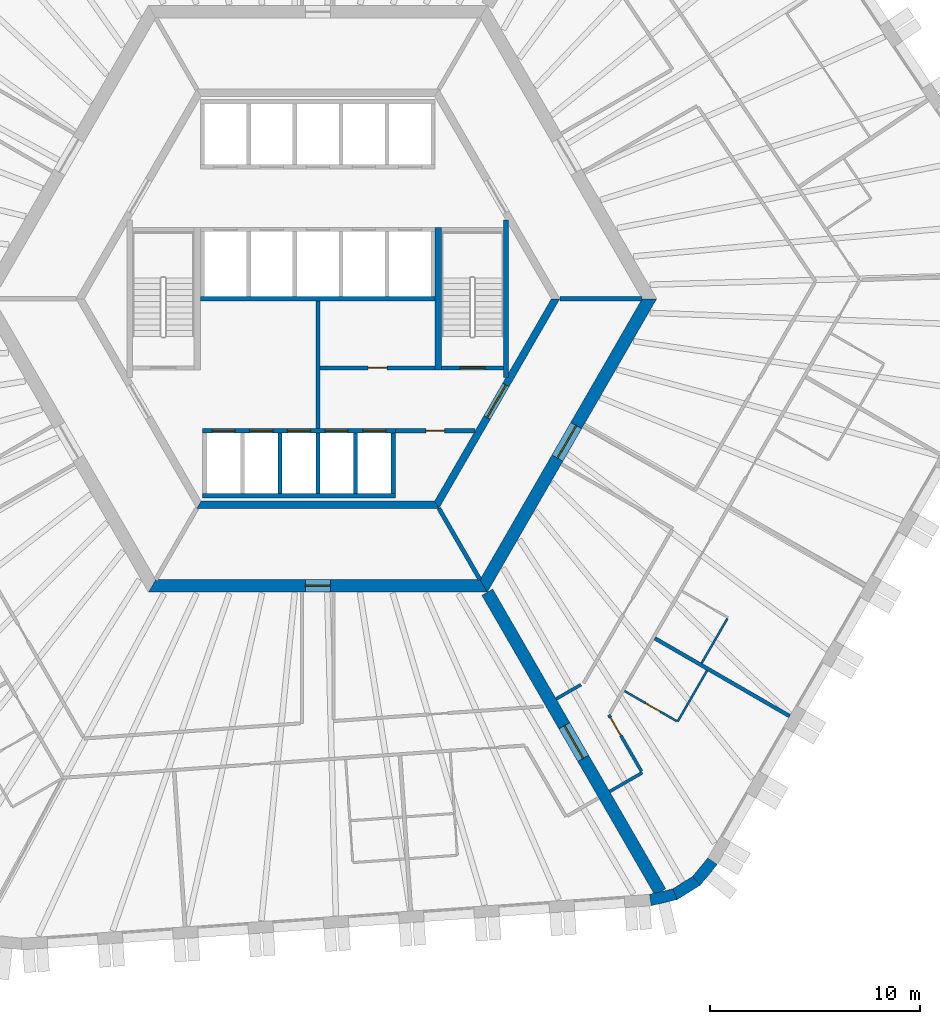
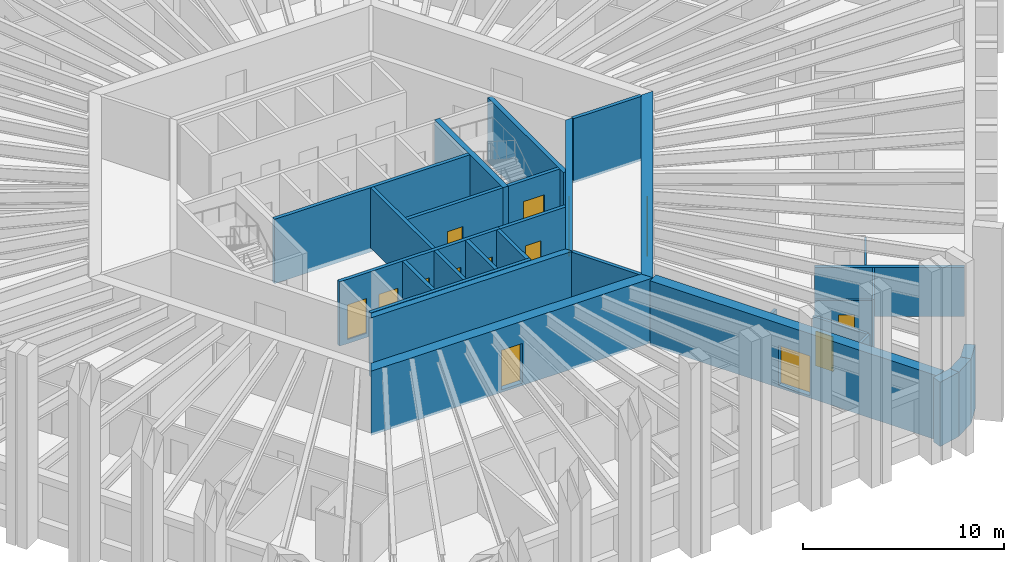
# One storey, part 5 of 12: 30 walls, 14 doors, 14 openings.
"""IFC4 building model written with IfcOpenShell, lengths in metres."""

from ifc_helpers import new_model, si_unit, direction, frame, frame_2d, origin, place, context, subcontext, project, spatial, polyline, rectangle, outline, extrude, material, layer, layer_set, type_object, element, fill, save


model = new_model("IFC4")

# Units and contexts
model_context = context("Model", 3, precision=1e-05, world=origin(), true_north=direction((0.0, 1.0)))
body_context = subcontext(model_context, "Body", "Model", "MODEL_VIEW")
ifc_project = project(units=[si_unit("LENGTHUNIT", "METRE"), si_unit("AREAUNIT", "SQUARE_METRE"), si_unit("VOLUMEUNIT", "CUBIC_METRE"), si_unit("PLANEANGLEUNIT", "RADIAN"), si_unit("MASSUNIT", "GRAM", prefix="KILO")], contexts=[model_context])

# Site, building, storey
site_placement = place(None, origin())
site = spatial("IfcSite", under=ifc_project, at=site_placement, CompositionType="ELEMENT")
building_placement = place(site_placement, origin())
building = spatial("IfcBuilding", under=site, at=building_placement, Name="Tarnside Tower", CompositionType="ELEMENT")
storey_placement = place(building_placement, frame((0.0, 0.0, 37.5)))
storey = spatial("IfcBuildingStorey", under=building, at=storey_placement, Name="L06", CompositionType="ELEMENT", Elevation=37.5)

# Wall
ifc_material_1 = material(Name="Gypsum board partition on steel studs", Category="steel")
ifc_layer_1 = layer(ifc_material_1, 0.10009765625)
ifc_layer_set_1 = layer_set([ifc_layer_1], Name="Bathroom wall 100")
wall_type_1 = type_object("IfcWallType", Name="Bathroom wall 100", PredefinedType="PARTITIONING", material=ifc_layer_set_1)
wall_1_placement = place(storey_placement, frame((18.56787109375, -17.739501953125, 0.0), z_axis=(0.0, 0.0, 1.0), x_axis=(-0.499998209175, -0.866026437715, 0.0)))
element("IfcWall", 1, at=wall_1_placement, inside=storey, type_object=wall_type_1, Name="Bathroom wall 01127", PredefinedType="PARTITIONING", context=body_context, shape_type="SweptSolid", body=[
    extrude(rectangle(XDim=2.81005859375, YDim=0.10009765625, at=frame_2d((1.405029296875, 0.0))), origin(), (0.0, 0.0, 1.0), 2.98779296875),
])

# Wall, opening, door
wall_2_placement = place(storey_placement, frame((17.11962890625, -20.14794921875, 0.0), z_axis=(0.0, 0.0, 1.0), x_axis=(-0.866039941686, 0.499974818771, 0.0)))
wall_2 = element("IfcWall", 2, at=wall_2_placement, inside=storey, type_object=wall_type_1, Name="Bathroom wall 01128", PredefinedType="PARTITIONING", context=body_context, shape_type="SweptSolid", body=[
    extrude(rectangle(XDim=2.875244140625, YDim=0.10009765625, at=frame_2d((1.4375, 0.0))), origin(), (0.0, 0.0, 1.0), 2.98779296875),
])
opening_1_placement = place(wall_2_placement, frame((0.89990234375, 0.0, 0.0)))
opening_1 = element("IfcOpeningElement", 3, at=opening_1_placement, cuts=wall_2, Name="Opening D-B1", PredefinedType="OPENING", context=body_context, shape_type="SweptSolid", body=[
    extrude(rectangle(XDim=0.800048828125, YDim=2.10009765625, at=frame_2d((0.39990234375, 1.050048828125))), frame((0.0, 0.06005859375, 0.0), z_axis=(0.0, -1.0, 0.0), x_axis=(1.0, 0.0, 0.0)), (0.0, 0.0, 1.0), 0.1201171875),
])
ifc_material_2 = material(Name="Timber door leaf", Category="wood")
door_type_1 = type_object("IfcDoorType", Name="Bathroom door 800", OperationType="NOTDEFINED", PredefinedType="DOOR", material=ifc_material_2)
door_1_placement = place(opening_1_placement, origin())
door_1 = element("IfcDoor", 4, at=door_1_placement, inside=storey, type_object=door_type_1, Name="Bathroom door 01028", OperationType="SINGLE_SWING_RIGHT", OverallHeight=2.10009765625, OverallWidth=0.800048828125, PredefinedType="DOOR", context=body_context, shape_type="SweptSolid", body=[
    extrude(rectangle(XDim=0.800048828125, YDim=2.10009765625, at=frame_2d((0.39990234375, 1.050048828125))), frame((0.0, 0.02490234375, 0.0), z_axis=(0.0, -1.0, 0.0), x_axis=(1.0, 0.0, 0.0)), (0.0, 0.0, 1.0), 0.050048828125),
])
fill(opening_1, door_1)

# Walls
wall_3_placement = place(storey_placement, frame((19.54150390625, -15.253173828125, 0.0), z_axis=(0.0, 0.0, 1.0), x_axis=(-0.500003092839, -0.866023618125, 0.0)))
element("IfcWall", 5, at=wall_3_placement, inside=storey, type_object=wall_type_1, Name="Bathroom wall 01133", PredefinedType="PARTITIONING", context=body_context, shape_type="SweptSolid", body=[
    extrude(rectangle(XDim=2.4599609375, YDim=0.10009765625, at=frame_2d((1.22998046875, 0.0))), origin(), (0.0, 0.0, 1.0), 2.98779296875),
])
ifc_material_3 = material(Name="Concrete C50/60", Category="concrete")
ifc_layer_2 = layer(ifc_material_3, 0.35009765625)
ifc_layer_set_2 = layer_set([ifc_layer_2], Name="Core block wall 350 C50/60")
wall_type_2 = type_object("IfcWallType", Name="Core block wall 350 C50/60", PredefinedType="SHEAR", material=ifc_layer_set_2)
wall_4_placement = place(storey_placement, frame((-5.672607421875, -9.824951171875, -0.14990234375), z_axis=(0.0, 0.0, 1.0), x_axis=(1.0, 0.0, 0.0)))
element("IfcWall", 6, at=wall_4_placement, inside=storey, type_object=wall_type_2, Name="L06 core block wall face 4", PredefinedType="SHEAR", context=body_context, shape_type="SweptSolid", body=[
    extrude(outline(polyline([(-0.10107421875, -0.175048828125), (11.4462890625, -0.175048828125), (11.244140625, 0.175048828125), (0.10107421875, 0.175048828125), (-0.10107421875, -0.175048828125)])), origin(), (0.0, 0.0, 1.0), 3.89990234375),
])

# Wall, opening, door
wall_5_placement = place(storey_placement, frame((5.672607421875, -9.824951171875, -0.14990234375), z_axis=(0.0, 0.0, 1.0), x_axis=(0.499995046907, 0.866028263435, 0.0)))
wall_5 = element("IfcWall", 7, at=wall_5_placement, inside=storey, type_object=wall_type_2, Name="L06 core block wall face 5", PredefinedType="SHEAR", context=body_context, shape_type="SweptSolid", body=[
    extrude(outline(polyline([(-0.10107421875, -0.175048828125), (11.44580078125, -0.175048828125), (11.24365234375, 0.175048828125), (0.10107421875, 0.175048828125), (-0.10107421875, -0.175048828125)])), origin(), (0.0, 0.0, 1.0), 3.89990234375),
])
opening_2_placement = place(wall_5_placement, frame((4.80126953125, 0.0, 0.14990234375)))
opening_2 = element("IfcOpeningElement", 8, at=opening_2_placement, cuts=wall_5, Name="Opening CD-FFL", PredefinedType="OPENING", context=body_context, shape_type="SweptSolid", body=[
    extrude(rectangle(XDim=1.800048828125, YDim=2.39990234375, at=frame_2d((0.89990234375, 1.199951171875))), frame((0.0, 0.18505859375, 0.0), z_axis=(0.0, -1.0, 0.0), x_axis=(1.0, 0.0, 0.0)), (0.0, 0.0, 1.0), 0.3701171875),
])
ifc_material_4 = material(Name="Steel fire door", Category="steel")
door_type_2 = type_object("IfcDoorType", Name="Firefighting lobby double door FD60S 1800x2400", OperationType="NOTDEFINED", PredefinedType="DOOR", material=ifc_material_4)
door_2_placement = place(opening_2_placement, origin())
door_2 = element("IfcDoor", 9, at=door_2_placement, inside=storey, type_object=door_type_2, Name="L06 lobby block door P4", OperationType="DOUBLE_DOOR_SINGLE_SWING", OverallHeight=2.39990234375, OverallWidth=1.800048828125, PredefinedType="DOOR", context=body_context, shape_type="SweptSolid", body=[
    extrude(rectangle(XDim=1.800048828125, YDim=2.39990234375, at=frame_2d((0.89990234375, 1.199951171875))), frame((0.0, 0.02490234375, 0.0), z_axis=(0.0, -1.0, 0.0), x_axis=(1.0, 0.0, 0.0)), (0.0, 0.0, 1.0), 0.050048828125),
])
fill(opening_2, door_2)

ifc_material_5 = material(Name="Concrete C40/50", Category="concrete")
ifc_layer_3 = layer(ifc_material_5, 0.199951171875)
ifc_layer_set_3 = layer_set([ifc_layer_3], Name="Core room partition 200 C40/50")
wall_type_3 = type_object("IfcWallType", Name="Core room partition 200 C40/50", PredefinedType="PARTITIONING", material=ifc_layer_set_3)
wall_6_placement = place(storey_placement, frame((0.10009765625, -3.300048828125, 0.0), z_axis=(0.0, 0.0, 1.0), x_axis=(1.0, 0.0, 0.0)))
wall_6 = element("IfcWall", 10, at=wall_6_placement, inside=storey, type_object=wall_type_3, Name="L06 core partition R3S1", PredefinedType="PARTITIONING", context=body_context, shape_type="SweptSolid", body=[
    extrude(rectangle(XDim=5.5, YDim=0.199951171875, at=frame_2d((2.75, 0.0))), origin(), (0.0, 0.0, 1.0), 3.64990234375),
])
opening_3_placement = place(wall_6_placement, frame((2.300048828125, 0.0, 0.0)))
opening_3 = element("IfcOpeningElement", 11, at=opening_3_placement, cuts=wall_6, Name="Opening CD-room", PredefinedType="OPENING", context=body_context, shape_type="SweptSolid", body=[
    extrude(rectangle(XDim=0.89990234375, YDim=2.10009765625, at=frame_2d((0.449951171875, 1.050048828125))), frame((0.0, 0.10986328125, 0.0), z_axis=(0.0, -1.0, 0.0), x_axis=(1.0, 0.0, 0.0)), (0.0, 0.0, 1.0), 0.219970703125),
])
door_type_3 = type_object("IfcDoorType", Name="Room door FD60 900x2100", OperationType="NOTDEFINED", PredefinedType="DOOR", material=ifc_material_4)
door_3_placement = place(opening_3_placement, origin())
door_3 = element("IfcDoor", 12, at=door_3_placement, inside=storey, type_object=door_type_3, Name="L06 core room door SR1", OperationType="SINGLE_SWING_LEFT", OverallHeight=2.10009765625, OverallWidth=0.89990234375, PredefinedType="DOOR", context=body_context, shape_type="SweptSolid", body=[
    extrude(rectangle(XDim=0.89990234375, YDim=2.10009765625, at=frame_2d((0.449951171875, 1.050048828125))), frame((0.0, 0.02490234375, 0.0), z_axis=(0.0, -1.0, 0.0), x_axis=(1.0, 0.0, 0.0)), (0.0, 0.0, 1.0), 0.050048828125),
])
fill(opening_3, door_3)

# Wall
wall_7_placement = place(storey_placement, frame((0.0, -6.199951171875, 0.0), z_axis=(0.0, 0.0, 1.0), x_axis=(0.0, 1.0, 0.0)))
element("IfcWall", 13, at=wall_7_placement, inside=storey, type_object=wall_type_3, Name="L06 core partition X0", PredefinedType="PARTITIONING", context=body_context, shape_type="SweptSolid", body=[
    extrude(rectangle(XDim=6.099853515625, YDim=0.199951171875, at=frame_2d((3.0498046875, 0.0))), origin(), (0.0, 0.0, 1.0), 3.64990234375),
])

# Wall, opening, door
wall_8_placement = place(storey_placement, frame((3.699951171875, -6.300048828125, 0.0), z_axis=(0.0, 0.0, 1.0), x_axis=(1.0, 0.0, 0.0)))
wall_8 = element("IfcWall", 14, at=wall_8_placement, inside=storey, type_object=wall_type_3, Name="L06 core partition R4X", PredefinedType="PARTITIONING", context=body_context, shape_type="SweptSolid", body=[
    extrude(rectangle(XDim=3.8056640625, YDim=0.199951171875, at=frame_2d((1.90283203125, 0.0))), origin(), (0.0, 0.0, 1.0), 3.64990234375),
])
opening_4_placement = place(wall_8_placement, frame((1.452880859375, 0.0, 0.0)))
opening_4 = element("IfcOpeningElement", 15, at=opening_4_placement, cuts=wall_8, Name="Opening CD-room", PredefinedType="OPENING", context=body_context, shape_type="SweptSolid", body=[
    extrude(rectangle(XDim=0.89990234375, YDim=2.10009765625, at=frame_2d((0.449951171875, 1.050048828125))), frame((0.0, 0.10986328125, 0.0), z_axis=(0.0, -1.0, 0.0), x_axis=(1.0, 0.0, 0.0)), (0.0, 0.0, 1.0), 0.219970703125),
])
door_4_placement = place(opening_4_placement, origin())
door_4 = element("IfcDoor", 16, at=door_4_placement, inside=storey, type_object=door_type_3, Name="L06 core room door RX", OperationType="SINGLE_SWING_LEFT", OverallHeight=2.10009765625, OverallWidth=0.89990234375, PredefinedType="DOOR", context=body_context, shape_type="SweptSolid", body=[
    extrude(rectangle(XDim=0.89990234375, YDim=2.10009765625, at=frame_2d((0.449951171875, 1.050048828125))), frame((0.0, 0.02490234375, 0.0), z_axis=(0.0, -1.0, 0.0), x_axis=(1.0, 0.0, 0.0)), (0.0, 0.0, 1.0), 0.050048828125),
])
fill(opening_4, door_4)

ifc_material_6 = material(Name="Concrete C80/95", Category="concrete")
ifc_layer_4 = layer(ifc_material_6, 0.60009765625)
ifc_layer_set_4 = layer_set([ifc_layer_4], Name="Core wall Z1 600 C80/95")
wall_type_4 = type_object("IfcWallType", Name="Core wall Z1 600 C80/95", PredefinedType="SHEAR", material=ifc_layer_set_4)
wall_9_placement = place(storey_placement, frame((-7.90966796875, -13.699951171875, -0.14990234375), z_axis=(0.0, 0.0, 1.0), x_axis=(1.0, 0.0, 0.0)))
wall_9 = element("IfcWall", 17, at=wall_9_placement, inside=storey, type_object=wall_type_4, Name="L06 core wall face 4", PredefinedType="SHEAR", context=body_context, shape_type="SweptSolid", body=[
    extrude(outline(polyline([(-0.17333984375, -0.300048828125), (15.99267578125, -0.300048828125), (15.64599609375, 0.300048828125), (0.17333984375, 0.300048828125), (-0.17333984375, -0.300048828125)])), origin(), (0.0, 0.0, 1.0), 3.89990234375),
])
opening_5_placement = place(wall_9_placement, frame((7.309814453125, 0.0, 0.14990234375)))
opening_5 = element("IfcOpeningElement", 18, at=opening_5_placement, cuts=wall_9, Name="Opening CD-RSR", PredefinedType="OPENING", context=body_context, shape_type="SweptSolid", body=[
    extrude(rectangle(XDim=1.199951171875, YDim=2.39990234375, at=frame_2d((0.60009765625, 1.199951171875))), frame((0.0, 0.31005859375, 0.0), z_axis=(0.0, -1.0, 0.0), x_axis=(1.0, 0.0, 0.0)), (0.0, 0.0, 1.0), 0.6201171875),
])
door_type_4 = type_object("IfcDoorType", Name="Riser door FD60 1200x2400", OperationType="NOTDEFINED", PredefinedType="DOOR", material=ifc_material_4)
door_5_placement = place(opening_5_placement, origin())
door_5 = element("IfcDoor", 19, at=door_5_placement, inside=storey, type_object=door_type_4, Name="L06 core door S6", OperationType="SINGLE_SWING_LEFT", OverallHeight=2.39990234375, OverallWidth=1.199951171875, PredefinedType="DOOR", context=body_context, shape_type="SweptSolid", body=[
    extrude(rectangle(XDim=1.199951171875, YDim=2.39990234375, at=frame_2d((0.60009765625, 1.199951171875))), frame((0.0, 0.02490234375, 0.0), z_axis=(0.0, -1.0, 0.0), x_axis=(1.0, 0.0, 0.0)), (0.0, 0.0, 1.0), 0.050048828125),
])
fill(opening_5, door_5)

wall_10_placement = place(storey_placement, frame((7.90966796875, -13.699951171875, -0.14990234375), z_axis=(0.0, 0.0, 1.0), x_axis=(0.499999880136, 0.866025472988, 0.0)))
wall_10 = element("IfcWall", 20, at=wall_10_placement, inside=storey, type_object=wall_type_4, Name="L06 core wall face 5", PredefinedType="SHEAR", context=body_context, shape_type="SweptSolid", body=[
    extrude(outline(polyline([(-0.17333984375, -0.300048828125), (15.99267578125, -0.300048828125), (15.64599609375, 0.300048828125), (0.17333984375, 0.300048828125), (-0.17333984375, -0.300048828125)])), origin(), (0.0, 0.0, 1.0), 3.89990234375),
])
opening_6_placement = place(wall_10_placement, frame((7.03857421875, 0.0, 0.14990234375)))
opening_6 = element("IfcOpeningElement", 21, at=opening_6_placement, cuts=wall_10, Name="Opening CD-FFL", PredefinedType="OPENING", context=body_context, shape_type="SweptSolid", body=[
    extrude(rectangle(XDim=1.800048828125, YDim=2.39990234375, at=frame_2d((0.89990234375, 1.199951171875))), frame((0.0, 0.31005859375, 0.0), z_axis=(0.0, -1.0, 0.0), x_axis=(1.0, 0.0, 0.0)), (0.0, 0.0, 1.0), 0.6201171875),
])
door_6_placement = place(opening_6_placement, origin())
door_6 = element("IfcDoor", 22, at=door_6_placement, inside=storey, type_object=door_type_2, Name="L06 core door P4", OperationType="DOUBLE_DOOR_SINGLE_SWING", OverallHeight=2.39990234375, OverallWidth=1.800048828125, PredefinedType="DOOR", context=body_context, shape_type="SweptSolid", body=[
    extrude(rectangle(XDim=1.800048828125, YDim=2.39990234375, at=frame_2d((0.89990234375, 1.199951171875))), frame((0.0, 0.02490234375, 0.0), z_axis=(0.0, -1.0, 0.0), x_axis=(1.0, 0.0, 0.0)), (0.0, 0.0, 1.0), 0.050048828125),
])
fill(opening_6, door_6)

wall_11_placement = place(storey_placement, frame((8.0830078125, -14.0, -0.14990234375), z_axis=(0.0, 0.0, 1.0), x_axis=(0.499997680643, -0.866026742862, 0.0)))
wall_11 = element("IfcWall", 23, at=wall_11_placement, inside=storey, type_object=wall_type_4, Name="L06 spine wall 3", PredefinedType="SHEAR", context=body_context, shape_type="SweptSolid", body=[
    extrude(rectangle(XDim=16.5087890625, YDim=0.60009765625, at=frame_2d((8.25439453125, 0.0))), origin(), (0.0, 0.0, 1.0), 3.89990234375),
])
opening_7_placement = place(wall_11_placement, frame((7.3544921875, 0.0, 0.14990234375)))
opening_7 = element("IfcOpeningElement", 24, at=opening_7_placement, cuts=wall_11, Name="Opening CD-SPN", PredefinedType="OPENING", context=body_context, shape_type="SweptSolid", body=[
    extrude(rectangle(XDim=1.800048828125, YDim=2.39990234375, at=frame_2d((0.89990234375, 1.199951171875))), frame((0.0, 0.31005859375, 0.0), z_axis=(0.0, -1.0, 0.0), x_axis=(1.0, 0.0, 0.0)), (0.0, 0.0, 1.0), 0.6201171875),
])
door_type_5 = type_object("IfcDoorType", Name="Spine passage double door FD60 1800x2400", OperationType="NOTDEFINED", PredefinedType="DOOR", material=ifc_material_4)
door_7_placement = place(opening_7_placement, origin())
door_7 = element("IfcDoor", 25, at=door_7_placement, inside=storey, type_object=door_type_5, Name="L06 spine passage door 3", OperationType="DOUBLE_DOOR_SINGLE_SWING", OverallHeight=2.39990234375, OverallWidth=1.800048828125, PredefinedType="DOOR", context=body_context, shape_type="SweptSolid", body=[
    extrude(rectangle(XDim=1.800048828125, YDim=2.39990234375, at=frame_2d((0.89990234375, 1.199951171875))), frame((0.0, 0.02490234375, 0.0), z_axis=(0.0, -1.0, 0.0), x_axis=(1.0, 0.0, 0.0)), (0.0, 0.0, 1.0), 0.050048828125),
])
fill(opening_7, door_7)

# Wall
ifc_layer_5 = layer(ifc_material_1, 0.14990234375)
ifc_layer_set_5 = layer_set([ifc_layer_5], Name="Corridor wall 150 EI 60")
wall_type_5 = type_object("IfcWallType", Name="Corridor wall 150 EI 60", PredefinedType="PARTITIONING", material=ifc_layer_set_5)
wall_12_placement = place(storey_placement, frame((13.919921875, -23.510009765625, 0.0), z_axis=(0.0, 0.0, 1.0), x_axis=(0.866047807691, 0.499961193289, 0.0)))
element("IfcWall", 26, at=wall_12_placement, inside=storey, type_object=wall_type_5, Name="Corridor wall 01049", PredefinedType="PARTITIONING", context=body_context, shape_type="SweptSolid", body=[
    extrude(rectangle(XDim=1.800048828125, YDim=0.14990234375, at=frame_2d((0.89990234375, 0.0))), origin(), (0.0, 0.0, 1.0), 2.98779296875),
])

# Wall, opening, door
wall_13_placement = place(storey_placement, frame((15.44140625, -22.545166015625, 0.0), z_axis=(0.0, 0.0, 1.0), x_axis=(-0.500037089193, 0.86600398927, 0.0)))
wall_13 = element("IfcWall", 27, at=wall_13_placement, inside=storey, type_object=wall_type_5, Name="Corridor wall 01050", PredefinedType="PARTITIONING", context=body_context, shape_type="SweptSolid", body=[
    extrude(rectangle(XDim=3.112060546875, YDim=0.14990234375, at=frame_2d((1.55615234375, 0.0))), origin(), (0.0, 0.0, 1.0), 2.98779296875),
])
opening_8_placement = place(wall_13_placement, frame((1.962158203125, 0.0, 0.0)))
opening_8 = element("IfcOpeningElement", 28, at=opening_8_placement, cuts=wall_13, Name="Opening D-E1", PredefinedType="OPENING", context=body_context, shape_type="SweptSolid", body=[
    extrude(rectangle(XDim=1.0, YDim=2.10009765625, at=frame_2d((0.5, 1.050048828125))), frame((0.0, 0.0849609375, 0.0), z_axis=(0.0, -1.0, 0.0), x_axis=(1.0, 0.0, 0.0)), (0.0, 0.0, 1.0), 0.169921875),
])
door_type_6 = type_object("IfcDoorType", Name="Unit entrance door 1000 FD30S", OperationType="NOTDEFINED", PredefinedType="DOOR", material=ifc_material_2)
door_8_placement = place(opening_8_placement, origin())
door_8 = element("IfcDoor", 29, at=door_8_placement, inside=storey, type_object=door_type_6, Name="Unit door 01027", OperationType="SINGLE_SWING_LEFT", OverallHeight=2.10009765625, OverallWidth=1.0, PredefinedType="DOOR", context=body_context, shape_type="SweptSolid", body=[
    extrude(rectangle(XDim=1.0, YDim=2.10009765625, at=frame_2d((0.5, 1.050048828125))), frame((0.0, 0.02490234375, 0.0), z_axis=(0.0, -1.0, 0.0), x_axis=(1.0, 0.0, 0.0)), (0.0, 0.0, 1.0), 0.050048828125),
])
fill(opening_8, door_8)

# Walls
wall_14_placement = place(storey_placement, frame((12.552001953125, -18.409423828125, 0.0), z_axis=(0.0, 0.0, 1.0), x_axis=(-0.866078408764, -0.499908181442, 0.0)))
element("IfcWall", 30, at=wall_14_placement, inside=storey, type_object=wall_type_5, Name="Corridor wall 01074", PredefinedType="PARTITIONING", context=body_context, shape_type="SweptSolid", body=[
    extrude(rectangle(XDim=1.365478515625, YDim=0.14990234375, at=frame_2d((0.6826171875, 0.0))), origin(), (0.0, 0.0, 1.0), 2.98779296875),
])
ifc_layer_6 = layer(ifc_material_1, 0.179931640625)
ifc_layer_set_6 = layer_set([ifc_layer_6], Name="Demising wall 180 EI 60")
wall_type_6 = type_object("IfcWallType", Name="Demising wall 180 EI 60", PredefinedType="PARTITIONING", material=ifc_layer_set_6)
wall_15_placement = place(storey_placement, frame((22.510009765625, -19.91162109375, 0.0), z_axis=(0.0, 0.0, 1.0), x_axis=(-0.866014745021, 0.500018461065, 0.0)))
element("IfcWall", 31, at=wall_15_placement, inside=storey, type_object=wall_type_6, Name="Demising wall 01129", PredefinedType="PARTITIONING", context=body_context, shape_type="SweptSolid", body=[
    extrude(rectangle(XDim=7.425048828125, YDim=0.179931640625, at=frame_2d((3.71240234375, 0.0))), origin(), (0.0, 0.0, 1.0), 2.98779296875),
])
ifc_layer_7 = layer(ifc_material_5, 0.199951171875)
ifc_layer_set_7 = layer_set([ifc_layer_7], Name="Lift shaft wall 200 C40/50")
wall_type_7 = type_object("IfcWallType", Name="Lift shaft wall 200 C40/50", PredefinedType="SHEAR", material=ifc_layer_set_7)
wall_16_placement = place(storey_placement, frame((-5.60009765625, 0.0, -0.25), z_axis=(0.0, 0.0, 1.0), x_axis=(1.0, 0.0, 0.0)))
element("IfcWall", 32, at=wall_16_placement, inside=storey, type_object=wall_type_7, Name="L06 lift shaft back wall R2", PredefinedType="SHEAR", context=body_context, shape_type="SweptSolid", body=[
    extrude(rectangle(XDim=11.2001953125, YDim=0.199951171875, at=frame_2d((5.60009765625, 0.0))), origin(), (0.0, 0.0, 1.0), 3.89990234375),
])

# Wall, openings, doors
wall_17_placement = place(storey_placement, frame((-5.5, -6.300048828125, -0.25), z_axis=(0.0, 0.0, 1.0), x_axis=(1.0, 0.0, 0.0)))
wall_17 = element("IfcWall", 33, at=wall_17_placement, inside=storey, type_object=wall_type_7, Name="L06 lift shaft front wall R4", PredefinedType="SHEAR", context=body_context, shape_type="SweptSolid", body=[
    extrude(rectangle(XDim=9.199951171875, YDim=0.199951171875, at=frame_2d((4.60009765625, 0.0))), origin(), (0.0, 0.0, 1.0), 3.89990234375),
])
opening_9_placement = place(wall_17_placement, frame((0.449951171875, 0.0, 0.25)))
opening_9 = element("IfcOpeningElement", 34, at=opening_9_placement, cuts=wall_17, Name="Opening LDF", PredefinedType="OPENING", context=body_context, shape_type="SweptSolid", body=[
    extrude(rectangle(XDim=1.10009765625, YDim=2.10009765625, at=frame_2d((0.550048828125, 1.050048828125))), frame((0.0, 0.10986328125, 0.0), z_axis=(0.0, -1.0, 0.0), x_axis=(1.0, 0.0, 0.0)), (0.0, 0.0, 1.0), 0.219970703125),
])
opening_10_placement = place(wall_17_placement, frame((2.25, 0.0, 0.25)))
opening_10 = element("IfcOpeningElement", 35, at=opening_10_placement, cuts=wall_17, Name="Opening LDF", PredefinedType="OPENING", context=body_context, shape_type="SweptSolid", body=[
    extrude(rectangle(XDim=1.10009765625, YDim=2.10009765625, at=frame_2d((0.550048828125, 1.050048828125))), frame((0.0, 0.10986328125, 0.0), z_axis=(0.0, -1.0, 0.0), x_axis=(1.0, 0.0, 0.0)), (0.0, 0.0, 1.0), 0.219970703125),
])
opening_11_placement = place(wall_17_placement, frame((4.050048828125, 0.0, 0.25)))
opening_11 = element("IfcOpeningElement", 36, at=opening_11_placement, cuts=wall_17, Name="Opening LDF", PredefinedType="OPENING", context=body_context, shape_type="SweptSolid", body=[
    extrude(rectangle(XDim=1.10009765625, YDim=2.10009765625, at=frame_2d((0.550048828125, 1.050048828125))), frame((0.0, 0.10986328125, 0.0), z_axis=(0.0, -1.0, 0.0), x_axis=(1.0, 0.0, 0.0)), (0.0, 0.0, 1.0), 0.219970703125),
])
opening_12_placement = place(wall_17_placement, frame((5.85009765625, 0.0, 0.25)))
opening_12 = element("IfcOpeningElement", 37, at=opening_12_placement, cuts=wall_17, Name="Opening LDF", PredefinedType="OPENING", context=body_context, shape_type="SweptSolid", body=[
    extrude(rectangle(XDim=1.10009765625, YDim=2.10009765625, at=frame_2d((0.550048828125, 1.050048828125))), frame((0.0, 0.10986328125, 0.0), z_axis=(0.0, -1.0, 0.0), x_axis=(1.0, 0.0, 0.0)), (0.0, 0.0, 1.0), 0.219970703125),
])
opening_13_placement = place(wall_17_placement, frame((7.64990234375, 0.0, 0.25)))
opening_13 = element("IfcOpeningElement", 38, at=opening_13_placement, cuts=wall_17, Name="Opening LDF", PredefinedType="OPENING", context=body_context, shape_type="SweptSolid", body=[
    extrude(rectangle(XDim=1.10009765625, YDim=2.10009765625, at=frame_2d((0.550048828125, 1.050048828125))), frame((0.0, 0.10986328125, 0.0), z_axis=(0.0, -1.0, 0.0), x_axis=(1.0, 0.0, 0.0)), (0.0, 0.0, 1.0), 0.219970703125),
])
ifc_material_7 = material(Name="Stainless steel", Category="steel")
door_type_7 = type_object("IfcDoorType", Name="Lift landing door 1100x2100 EI 120", OperationType="NOTDEFINED", PredefinedType="DOOR", material=ifc_material_7)
door_9_placement = place(opening_9_placement, origin())
door_9 = element("IfcDoor", 39, at=door_9_placement, inside=storey, type_object=door_type_7, Name="Firefighting lift 1 landing door L06", OperationType="SLIDING_TO_LEFT", OverallHeight=2.10009765625, OverallWidth=1.10009765625, PredefinedType="DOOR", context=body_context, shape_type="SweptSolid", body=[
    extrude(rectangle(XDim=1.10009765625, YDim=2.10009765625, at=frame_2d((0.550048828125, 1.050048828125))), frame((0.0, 0.02490234375, 0.0), z_axis=(0.0, -1.0, 0.0), x_axis=(1.0, 0.0, 0.0)), (0.0, 0.0, 1.0), 0.050048828125),
])
fill(opening_9, door_9)
door_10_placement = place(opening_10_placement, origin())
door_10 = element("IfcDoor", 40, at=door_10_placement, inside=storey, type_object=door_type_7, Name="Firefighting lift 2 landing door L06", OperationType="SLIDING_TO_LEFT", OverallHeight=2.10009765625, OverallWidth=1.10009765625, PredefinedType="DOOR", context=body_context, shape_type="SweptSolid", body=[
    extrude(rectangle(XDim=1.10009765625, YDim=2.10009765625, at=frame_2d((0.550048828125, 1.050048828125))), frame((0.0, 0.02490234375, 0.0), z_axis=(0.0, -1.0, 0.0), x_axis=(1.0, 0.0, 0.0)), (0.0, 0.0, 1.0), 0.050048828125),
])
fill(opening_10, door_10)
door_11_placement = place(opening_11_placement, origin())
door_11 = element("IfcDoor", 41, at=door_11_placement, inside=storey, type_object=door_type_7, Name="Firefighting lift 3 landing door L06", OperationType="SLIDING_TO_LEFT", OverallHeight=2.10009765625, OverallWidth=1.10009765625, PredefinedType="DOOR", context=body_context, shape_type="SweptSolid", body=[
    extrude(rectangle(XDim=1.10009765625, YDim=2.10009765625, at=frame_2d((0.550048828125, 1.050048828125))), frame((0.0, 0.02490234375, 0.0), z_axis=(0.0, -1.0, 0.0), x_axis=(1.0, 0.0, 0.0)), (0.0, 0.0, 1.0), 0.050048828125),
])
fill(opening_11, door_11)
door_12_placement = place(opening_12_placement, origin())
door_12 = element("IfcDoor", 42, at=door_12_placement, inside=storey, type_object=door_type_7, Name="Firefighting lift 4 landing door L06", OperationType="SLIDING_TO_LEFT", OverallHeight=2.10009765625, OverallWidth=1.10009765625, PredefinedType="DOOR", context=body_context, shape_type="SweptSolid", body=[
    extrude(rectangle(XDim=1.10009765625, YDim=2.10009765625, at=frame_2d((0.550048828125, 1.050048828125))), frame((0.0, 0.02490234375, 0.0), z_axis=(0.0, -1.0, 0.0), x_axis=(1.0, 0.0, 0.0)), (0.0, 0.0, 1.0), 0.050048828125),
])
fill(opening_12, door_12)
door_13_placement = place(opening_13_placement, origin())
door_13 = element("IfcDoor", 43, at=door_13_placement, inside=storey, type_object=door_type_7, Name="Firefighting lift 5 landing door L06", OperationType="SLIDING_TO_LEFT", OverallHeight=2.10009765625, OverallWidth=1.10009765625, PredefinedType="DOOR", context=body_context, shape_type="SweptSolid", body=[
    extrude(rectangle(XDim=1.10009765625, YDim=2.10009765625, at=frame_2d((0.550048828125, 1.050048828125))), frame((0.0, 0.02490234375, 0.0), z_axis=(0.0, -1.0, 0.0), x_axis=(1.0, 0.0, 0.0)), (0.0, 0.0, 1.0), 0.050048828125),
])
fill(opening_13, door_13)

# Walls
wall_18_placement = place(storey_placement, frame((-5.5, -9.39990234375, -0.25), z_axis=(0.0, 0.0, 1.0), x_axis=(1.0, 0.0, 0.0)))
element("IfcWall", 44, at=wall_18_placement, inside=storey, type_object=wall_type_7, Name="L06 lift shaft back wall R4", PredefinedType="SHEAR", context=body_context, shape_type="SweptSolid", body=[
    extrude(rectangle(XDim=9.199951171875, YDim=0.199951171875, at=frame_2d((4.60009765625, 0.0))), origin(), (0.0, 0.0, 1.0), 3.89990234375),
])
for number, where, z_axis, x_axis, name in (
    (45, (-1.800048828125, -9.300048828125, -0.25), (0.0, 0.0, 1.0), (0.0, 1.0, 0.0), "L06 lift shaft partition R43"),
    (46, (0.0, -9.300048828125, -0.25), (0.0, 0.0, 1.0), (0.0, 1.0, 0.0), "L06 lift shaft partition R44"),
    (47, (1.800048828125, -9.300048828125, -0.25), (0.0, 0.0, 1.0), (0.0, 1.0, 0.0), "L06 lift shaft partition R45"),
    (48, (3.60009765625, -9.300048828125, -0.25), (0.0, 0.0, 1.0), (0.0, 1.0, 0.0), "L06 lift shaft partition R46"),
):
    element("IfcWall", number, at=place(storey_placement, frame(where, z_axis=z_axis, x_axis=x_axis)), inside=storey, type_object=wall_type_7, Name=name, PredefinedType="SHEAR", context=body_context, shape_type="SweptSolid", body=[
        extrude(rectangle(XDim=2.900146484375, YDim=0.199951171875, at=frame_2d((1.4501953125, 0.0))), origin(), (0.0, 0.0, 1.0), 3.89990234375),
    ])
wall_19_placement = place(storey_placement, frame((11.547119140625, 0.0, -0.14990234375), z_axis=(0.0, 0.0, 1.0), x_axis=(1.0, 0.0, 0.0)))
element("IfcWall", 49, at=wall_19_placement, inside=storey, type_object=wall_type_7, Name="L06 core partition AR0", PredefinedType="SHEAR", context=body_context, shape_type="SweptSolid", body=[
    extrude(rectangle(XDim=3.92578125, YDim=0.199951171875, at=frame_2d((1.962890625, 0.0))), origin(), (0.0, 0.0, 1.0), 3.89990234375),
])
wall_20_placement = place(storey_placement, frame((5.7734375, -10.0, -0.14990234375), z_axis=(0.0, 0.0, 1.0), x_axis=(0.500038251005, -0.86600331843, 0.0)))
element("IfcWall", 50, at=wall_20_placement, inside=storey, type_object=wall_type_7, Name="L06 core partition AR300", PredefinedType="SHEAR", context=body_context, shape_type="SweptSolid", body=[
    extrude(rectangle(XDim=3.926025390625, YDim=0.199951171875, at=frame_2d((1.962890625, 0.0))), origin(), (0.0, 0.0, 1.0), 3.89990234375),
])

# Wall, opening, door
wall_21_placement = place(storey_placement, frame((5.89990234375, -3.300048828125, -0.25), z_axis=(0.0, 0.0, 1.0), x_axis=(1.0, 0.0, 0.0)))
wall_21 = element("IfcWall", 51, at=wall_21_placement, inside=storey, type_object=wall_type_7, Name="L06 stair 1 enclosure cap wall s", PredefinedType="SHEAR", context=body_context, shape_type="SweptSolid", body=[
    extrude(rectangle(XDim=2.9501953125, YDim=0.199951171875, at=frame_2d((1.47509765625, 0.0))), origin(), (0.0, 0.0, 1.0), 3.89990234375),
])
opening_14_placement = place(wall_21_placement, frame((0.875, 0.0, 0.25)))
opening_14 = element("IfcOpeningElement", 52, at=opening_14_placement, cuts=wall_21, Name="Opening CD-STR", PredefinedType="OPENING", context=body_context, shape_type="SweptSolid", body=[
    extrude(rectangle(XDim=1.199951171875, YDim=2.39990234375, at=frame_2d((0.60009765625, 1.199951171875))), frame((0.0, 0.10986328125, 0.0), z_axis=(0.0, -1.0, 0.0), x_axis=(1.0, 0.0, 0.0)), (0.0, 0.0, 1.0), 0.219970703125),
])
door_type_8 = type_object("IfcDoorType", Name="Stair door FD60S 1200x2400", OperationType="NOTDEFINED", PredefinedType="DOOR", material=ifc_material_4)
door_14_placement = place(opening_14_placement, origin())
door_14 = element("IfcDoor", 53, at=door_14_placement, inside=storey, type_object=door_type_8, Name="L06 stair 1 door", OperationType="SINGLE_SWING_LEFT", OverallHeight=2.39990234375, OverallWidth=1.199951171875, PredefinedType="DOOR", context=body_context, shape_type="SweptSolid", body=[
    extrude(rectangle(XDim=1.199951171875, YDim=2.39990234375, at=frame_2d((0.60009765625, 1.199951171875))), frame((0.0, 0.02490234375, 0.0), z_axis=(0.0, -1.0, 0.0), x_axis=(1.0, 0.0, 0.0)), (0.0, 0.0, 1.0), 0.050048828125),
])
fill(opening_14, door_14)

# Walls
ifc_layer_8 = layer(ifc_material_5, 0.25)
ifc_layer_set_8 = layer_set([ifc_layer_8], Name="Stair enclosure wall 250 C40/50")
wall_type_8 = type_object("IfcWallType", Name="Stair enclosure wall 250 C40/50", PredefinedType="SHEAR", material=ifc_layer_set_8)
wall_22_placement = place(storey_placement, frame((8.97509765625, -3.7548828125, -0.25), z_axis=(0.0, 0.0, 1.0), x_axis=(0.0, 1.0, 0.0)))
element("IfcWall", 54, at=wall_22_placement, inside=storey, type_object=wall_type_8, Name="L06 stair 1 enclosure wall outer", PredefinedType="SHEAR", context=body_context, shape_type="SweptSolid", body=[
    extrude(rectangle(XDim=7.509765625, YDim=0.25, at=frame_2d((3.7548828125, 0.0))), origin(), (0.0, 0.0, 1.0), 3.89990234375),
])
ifc_layer_9 = layer(ifc_material_5, 0.300048828125)
ifc_layer_set_9 = layer_set([ifc_layer_9], Name="Stair enclosure wall 300 C40/50")
wall_type_9 = type_object("IfcWallType", Name="Stair enclosure wall 300 C40/50", PredefinedType="SHEAR", material=ifc_layer_set_9)
wall_23_placement = place(storey_placement, frame((5.75, -3.39990234375, -0.25), z_axis=(0.0, 0.0, 1.0), x_axis=(0.0, 1.0, 0.0)))
element("IfcWall", 55, at=wall_23_placement, inside=storey, type_object=wall_type_9, Name="L06 stair 1 enclosure wall inner", PredefinedType="SHEAR", context=body_context, shape_type="SweptSolid", body=[
    extrude(rectangle(XDim=6.7998046875, YDim=0.300048828125, at=frame_2d((3.39990234375, 0.0))), origin(), (0.0, 0.0, 1.0), 3.89990234375),
])
ifc_material_8 = material(Name="Facing brick", Category="masonry")
ifc_layer_10 = layer(ifc_material_8, 0.10205078125)
ifc_material_9 = material(Name="Concrete C60/75 precast", Category="concrete")
ifc_layer_11 = layer(ifc_material_9, 0.347900390625)
ifc_material_10 = material(Name="Mineral wool insulation")
ifc_layer_12 = layer(ifc_material_10, 0.10009765625)
ifc_layer_set_10 = layer_set([ifc_layer_10, ifc_layer_11, ifc_layer_12], Name="Tube wall 550 brick faced")
wall_type_10 = type_object("IfcWallType", Name="Tube wall 550 brick faced", PredefinedType="SOLIDWALL", material=ifc_layer_set_10)
wall_24_placement = place(storey_placement, frame((15.8642578125, -28.688232421875, -0.14990234375), z_axis=(0.0, 0.0, 1.0), x_axis=(0.973063591128, 0.230536868247, 0.0)))
element("IfcWall", 56, at=wall_24_placement, inside=storey, type_object=wall_type_10, Name="Tube wall L06 F4 chord 13", PredefinedType="SOLIDWALL", context=body_context, shape_type="SweptSolid", body=[
    extrude(outline(polyline([(-0.0224609375, -0.27490234375), (1.25341796875, -0.27490234375), (1.1630859375, 0.27490234375), (0.0224609375, 0.27490234375), (-0.0224609375, -0.27490234375)])), origin(), (0.0, 0.0, 1.0), 3.89990234375),
])
wall_25_placement = place(storey_placement, frame((17.0400390625, -28.40966796875, -0.14990234375), z_axis=(0.0, 0.0, 1.0), x_axis=(0.847952888306, 0.530071598195, 0.0)))
element("IfcWall", 57, at=wall_25_placement, inside=storey, type_object=wall_type_10, Name="Tube wall L06 F4 chord 14", PredefinedType="SOLIDWALL", context=body_context, shape_type="SweptSolid", body=[
    extrude(outline(polyline([(-0.045166015625, -0.27490234375), (1.253173828125, -0.27490234375), (1.162841796875, 0.27490234375), (0.045166015625, 0.27490234375), (-0.045166015625, -0.27490234375)])), origin(), (0.0, 0.0, 1.0), 3.89990234375),
])
wall_26_placement = place(storey_placement, frame((18.064453125, -27.769287109375, -0.14990234375), z_axis=(0.0, 0.0, 1.0), x_axis=(0.633842757806, 0.773461930787, 0.0)))
element("IfcWall", 58, at=wall_26_placement, inside=storey, type_object=wall_type_10, Name="Tube wall L06 F4 chord 15", PredefinedType="SOLIDWALL", context=body_context, shape_type="SweptSolid", body=[
    extrude(outline(polyline([(-0.045166015625, -0.27490234375), (1.230712890625, -0.27490234375), (1.185791015625, 0.27490234375), (0.045166015625, 0.27490234375), (-0.045166015625, -0.27490234375)])), origin(), (0.0, 0.0, 1.0), 3.89990234375),
])

save(model, "model.ifc")
